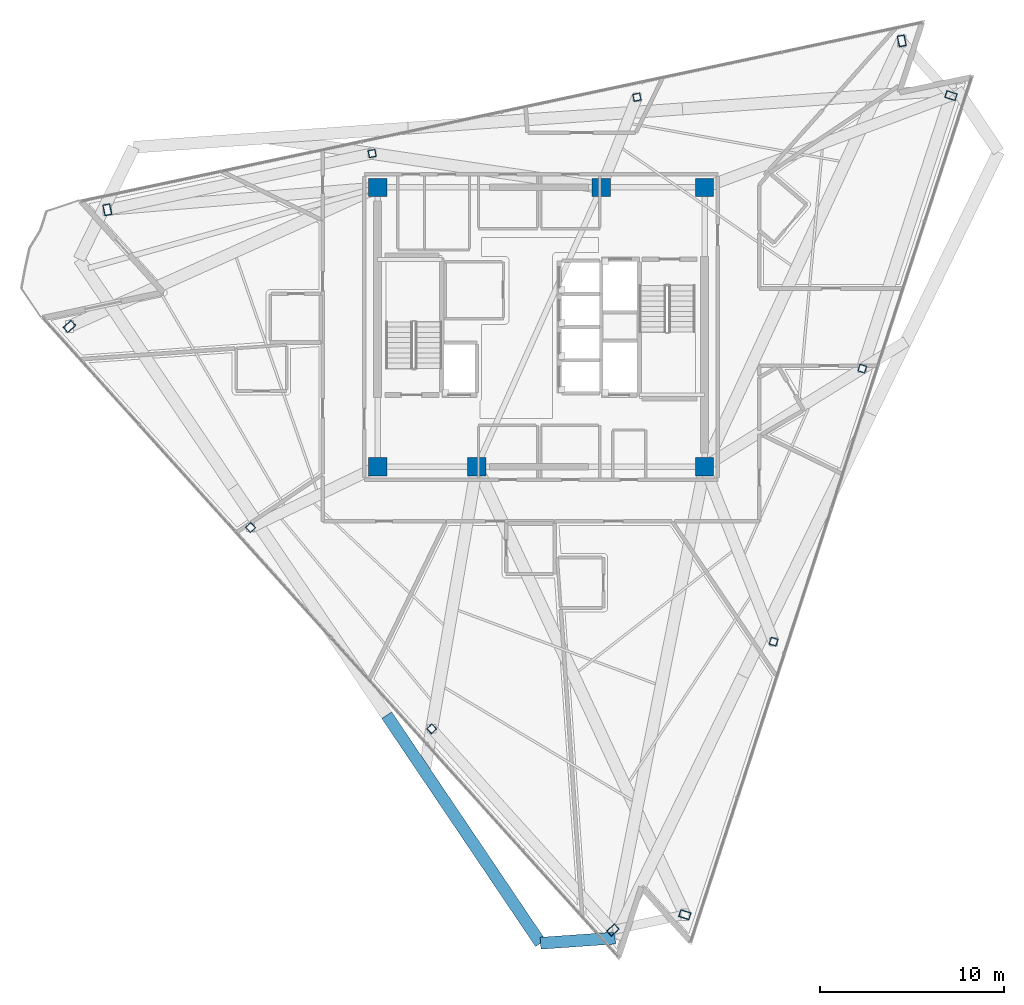
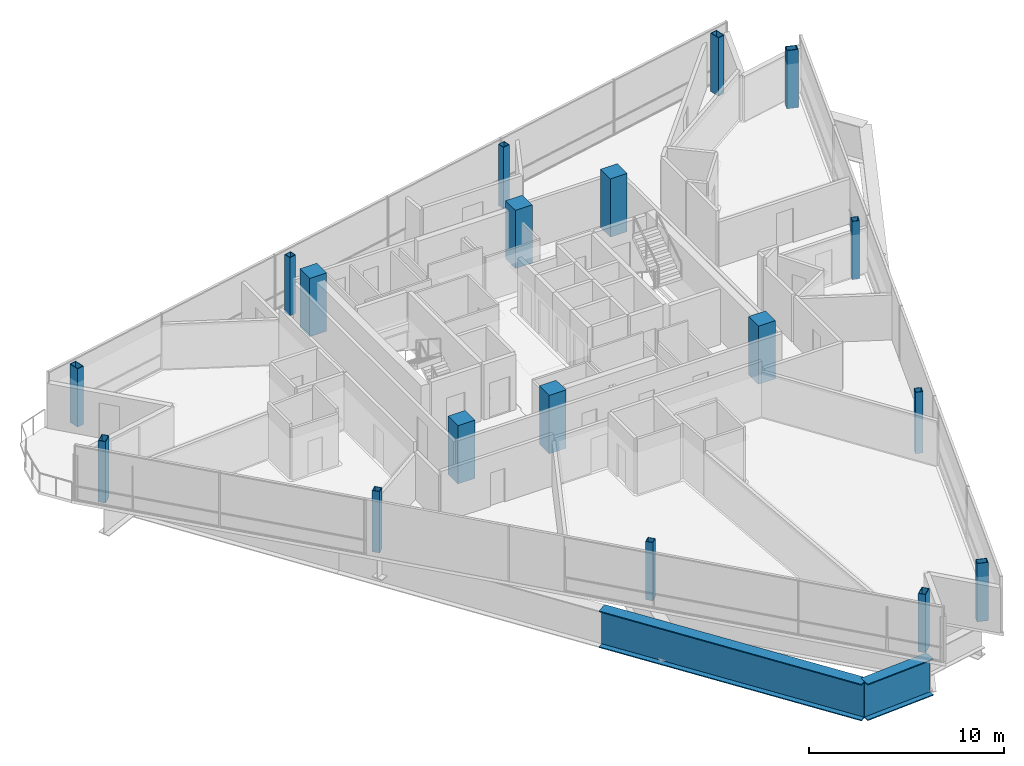
# One storey, part 1 of 18: 18 columns, 2 beams.
"""IFC4 building model written with IfcOpenShell, lengths in metres."""

import ifcopenshell
import ifcopenshell.guid

model = None  # the IFC model being written
_history = None  # IfcOwnerHistory: only IFC2X3 demands one
_inside = {}  # id of a spatial element -> (the spatial element, [elements in it])
_under = {}  # id of a project, library or spatial element -> (it, [spatial elements below it])
_declared = {}  # id of a project -> (the project, [libraries it declares])
_typed = {}  # id of a type object -> (the type object, [elements of that type])
_made_of = {}  # id of a material, layer set ... -> (it, [elements and type objects made of it])


def new_model(schema):
    """Start an empty IFC model of exactly this schema.

    Asked for "IFC4X3", IfcOpenShell would pick the latest addendum, in which some entities
    have other attributes; the version numbers below select the first issue.
    IFC2X3 requires an IfcOwnerHistory on every rooted entity: one is made here for all.
    """
    global model, _history
    if schema == "IFC4X3":
        model = ifcopenshell.file(schema_version=(4, 3, 0, 0))
    else:
        model = ifcopenshell.file(schema=schema)
    _inside.clear()
    _under.clear()
    _declared.clear()
    _typed.clear()
    _made_of.clear()
    _history = None
    if model.schema == "IFC2X3":
        org = make("IfcOrganization", Name="unknown")
        user = make(
            "IfcPersonAndOrganization",
            ThePerson=make("IfcPerson", FamilyName="unknown"),
            TheOrganization=org,
        )
        app = make(
            "IfcApplication",
            ApplicationDeveloper=org,
            Version="unknown",
            ApplicationFullName="unknown",
            ApplicationIdentifier="unknown",
        )
        _history = make(
            "IfcOwnerHistory",
            OwningUser=user,
            OwningApplication=app,
            ChangeAction="ADDED",
            CreationDate=0,
        )
    return model


def make(cls, **values):
    """One entity of the class cls with the attributes given. An attribute that is None is left unset."""
    return model.create_entity(
        cls, **{name: value for name, value in values.items() if value is not None}
    )


def rooted(cls, **values):
    """An entity with a GlobalId (a new one), such as an element, a storey or a relation."""
    return make(cls, GlobalId=ifcopenshell.guid.new(), OwnerHistory=_history, **values)


def si_unit(unit_type, name, prefix=None):
    """IfcSIUnit, for example si_unit("LENGTHUNIT", "METRE", prefix="MILLI")."""
    return make("IfcSIUnit", UnitType=unit_type, Prefix=prefix, Name=name)


def assignment(units):
    """IfcUnitAssignment: the units of a project."""
    return None if units is None else make("IfcUnitAssignment", Units=units)


def point(xyz):
    """IfcCartesianPoint."""
    return None if xyz is None else make("IfcCartesianPoint", Coordinates=xyz)


def direction(xyz):
    """IfcDirection."""
    return None if xyz is None else make("IfcDirection", DirectionRatios=xyz)


def frame(location, z_axis=None, x_axis=None):
    """IfcAxis2Placement3D, a coordinate frame: its origin and axes. An axis left out is left unset."""
    return make(
        "IfcAxis2Placement3D",
        Location=point(location),
        Axis=direction(z_axis),
        RefDirection=direction(x_axis),
    )


def frame_2d(location, x_axis=None):
    """IfcAxis2Placement2D, a coordinate frame in the plane: its origin and x axis."""
    return make(
        "IfcAxis2Placement2D", Location=point(location), RefDirection=direction(x_axis)
    )


def origin():
    """The frame at (0, 0, 0) with its axes left unset."""
    return frame((0.0, 0.0, 0.0))


def origin_2d():
    """The frame at (0, 0) in the plane with its x axis left unset."""
    return frame_2d((0.0, 0.0))


def place(relative_to, where):
    """IfcLocalPlacement: puts the frame where relative to a parent placement (None: the world)."""
    return make(
        "IfcLocalPlacement", PlacementRelTo=relative_to, RelativePlacement=where
    )


def context(
    kind, dimensions, precision=None, world=None, true_north=None, identifier=None
):
    """IfcGeometricRepresentationContext, for example the 3D "Model" context."""
    return make(
        "IfcGeometricRepresentationContext",
        ContextIdentifier=identifier,
        ContextType=kind,
        CoordinateSpaceDimension=dimensions,
        Precision=precision,
        WorldCoordinateSystem=world,
        TrueNorth=true_north,
    )


def subcontext(parent, identifier, kind, view, scale=None):
    """IfcGeometricRepresentationSubContext, for example "Body" below "Model"."""
    return make(
        "IfcGeometricRepresentationSubContext",
        ContextIdentifier=identifier,
        ContextType=kind,
        ParentContext=parent,
        TargetScale=scale,
        TargetView=view,
    )


def project(units=None, contexts=None):
    """IfcProject with its units and contexts."""
    return rooted(
        "IfcProject",
        Name="project",
        RepresentationContexts=contexts,
        UnitsInContext=assignment(units),
    )


def spatial(cls, under=None, at=None, **own):
    """A site, building, storey or space (cls), placed at a placement, below another one or the project."""
    s = rooted(cls, ObjectPlacement=at, **own)
    if under is not None:
        _under.setdefault(under.id(), (under, []))[1].append(s)
    return s


def profile(cls, at=None, kind="AREA", **sizes):
    """A parametric profile (cls). Its sizes go by their IFC names, for example OverallWidth=200.0."""
    return make(cls, ProfileType=kind, Position=at, **sizes)


def rectangle(**sizes):
    """IfcRectangleProfileDef."""
    return profile("IfcRectangleProfileDef", **sizes)


def hollow_rectangle(**sizes):
    """IfcRectangleHollowProfileDef."""
    return profile("IfcRectangleHollowProfileDef", **sizes)


def i_section(**sizes):
    """IfcIShapeProfileDef."""
    return profile("IfcIShapeProfileDef", **sizes)


def extrude(swept, where, along, depth):
    """IfcExtrudedAreaSolid: the profile swept, set in the frame where, extruded along a direction by depth."""
    return make(
        "IfcExtrudedAreaSolid",
        SweptArea=swept,
        Position=where,
        ExtrudedDirection=direction(along),
        Depth=depth,
    )


def shape(context_of_items, identifier, shape_type, items):
    """IfcShapeRepresentation: the items that make up one representation, for example the "Body"."""
    return make(
        "IfcShapeRepresentation",
        ContextOfItems=context_of_items,
        RepresentationIdentifier=identifier,
        RepresentationType=shape_type,
        Items=items,
    )


def material(Name=None, Category=None):
    """IfcMaterial."""
    return make("IfcMaterial", Name=Name, Category=Category)


def material_profile(
    of_material, cross_section, Name=None, Category=None, Priority=None
):
    """IfcMaterialProfile: a cross section and its material."""
    return make(
        "IfcMaterialProfile",
        Name=Name,
        Material=of_material,
        Profile=cross_section,
        Priority=Priority,
        Category=Category,
    )


def profile_set(profiles, Name=None, composite=None):
    """IfcMaterialProfileSet."""
    return make(
        "IfcMaterialProfileSet",
        Name=Name,
        MaterialProfiles=profiles,
        CompositeProfile=composite,
    )


def made_of(thing, what):
    """Note that an element or type object is made of a material, layer set ...; save() writes the relation."""
    if what is not None:
        _made_of.setdefault(what.id(), (what, []))[1].append(thing)
    return thing


def type_object(cls, material=None, **own):
    """A type object (cls), such as IfcWallType, which elements share."""
    return made_of(rooted(cls, **own), material)


def element(
    cls,
    number,
    at=None,
    inside=None,
    cuts=None,
    type_object=None,
    material=None,
    context=None,
    identifier="Body",
    shape_type=None,
    held_by="IfcProductDefinitionShape",
    body=None,
    shapes=None,
    **own,
):
    """One element of the class cls, such as IfcWall. Its Tag is "e" and its number.

    at: its placement. inside: the storey or other place that contains it. cuts: it is an
    opening in that element (IfcRelVoidsElement). A single representation is given by context,
    identifier, shape_type and body (its items); several are given by shapes. held_by: the class
    of the entity that holds the representations. save() writes the other relations.
    """
    e = rooted(cls, Tag="e%d" % number, ObjectPlacement=at, **own)
    if body is not None:
        shapes = [shape(context, identifier, shape_type, body)]
    if shapes is not None:
        e.Representation = make(held_by, Representations=shapes)
    if inside is not None:
        _inside.setdefault(inside.id(), (inside, []))[1].append(e)
    if cuts is not None:
        rooted(
            "IfcRelVoidsElement", RelatingBuildingElement=cuts, RelatedOpeningElement=e
        )
    if type_object is not None:
        _typed.setdefault(type_object.id(), (type_object, []))[1].append(e)
    return made_of(e, material)


def aggregate(whole, parts):
    """IfcRelAggregates: a whole, such as a stair, and the parts it consists of."""
    return rooted("IfcRelAggregates", RelatingObject=whole, RelatedObjects=parts)


def save(model, path):
    """Write the relations noted so far, then the file.

    IfcRelAggregates (storeys below a building ...), IfcRelContainedInSpatialStructure (elements
    in a storey), IfcRelDefinesByType, IfcRelAssociatesMaterial and IfcRelDeclares: one each for
    every whole, place, type object, material and project.
    """
    for whole, parts in _under.values():
        aggregate(whole, parts)
    for where, things in _inside.values():
        rooted(
            "IfcRelContainedInSpatialStructure",
            RelatedElements=things,
            RelatingStructure=where,
        )
    for kind, things in _typed.values():
        rooted("IfcRelDefinesByType", RelatedObjects=things, RelatingType=kind)
    for what, things in _made_of.values():
        rooted("IfcRelAssociatesMaterial", RelatedObjects=things, RelatingMaterial=what)
    for by, libraries in _declared.values():
        rooted("IfcRelDeclares", RelatingContext=by, RelatedDefinitions=libraries)
    model.write(path)


model = new_model("IFC4")

# Units and contexts
model_context = context("Model", 3, precision=1e-05, world=origin(), true_north=direction((0.0, 1.0)))
body_context = subcontext(model_context, "Body", "Model", "MODEL_VIEW")
ifc_project = project(units=[si_unit("LENGTHUNIT", "METRE"), si_unit("AREAUNIT", "SQUARE_METRE"), si_unit("VOLUMEUNIT", "CUBIC_METRE"), si_unit("PLANEANGLEUNIT", "RADIAN"), si_unit("MASSUNIT", "GRAM", prefix="KILO")], contexts=[model_context])

# Site, building, storey
site_placement = place(None, origin())
site = spatial("IfcSite", under=ifc_project, at=site_placement, CompositionType="ELEMENT")
building_placement = place(site_placement, origin())
building = spatial("IfcBuilding", under=site, at=building_placement, Name="Tharavind Bronze Gate", CompositionType="ELEMENT")
storey_placement = place(building_placement, frame((0.0, 0.0, 279.75)))
storey = spatial("IfcBuildingStorey", under=building, at=storey_placement, Name="L72", CompositionType="ELEMENT", Elevation=279.75)

# Columns
ifc_material_1 = material(Name="Steel S460", Category="steel")
ifc_material_profile_1 = material_profile(ifc_material_1, hollow_rectangle(XDim=0.39990234375, YDim=0.60009765625, WallThickness=0.030029296875, at=origin_2d()), Name="RHS600X400X30")
ifc_profile_set_1 = profile_set([ifc_material_profile_1], Name="Steel S460")
column_type_1 = type_object("IfcColumnType", Name="CORNER NOTCH COLUMN RHS600X400", PredefinedType="COLUMN", material=ifc_profile_set_1)
column_1_placement = place(storey_placement, frame((-25.6787109375, 0.03173828125, -0.18994140625), z_axis=(0.0, 0.0, 1.0), x_axis=(-0.669130606359, 0.743144825477, 0.0)))
element("IfcColumn", 1, at=column_1_placement, inside=storey, type_object=column_type_1, Name="L72 perimeter column S1C1", PredefinedType="COLUMN", context=body_context, shape_type="SweptSolid", body=[
    extrude(hollow_rectangle(XDim=0.39990234375, YDim=0.60009765625, WallThickness=0.030029296875, at=origin_2d()), origin(), (0.0, 0.0, 1.0), 3.83984375),
])
for number, where, z_axis, x_axis, name in (
    (2, (3.908935546875, -32.82861328125, 0.0), (0.0, 0.0, 1.0), (-0.669130606359, 0.743144825477, 0.0), "L72 perimeter column S1C4"),
    (3, (7.829345703125, -31.99560546875, 0.0), (0.0, 0.0, 1.0), (0.309018654281, 0.951055976957, 0.0), "L72 perimeter column S2C1"),
    (4, (22.319091796875, 12.599609375, 0.0), (0.0, 0.0, 1.0), (0.309018654281, 0.951055976957, 0.0), "L72 perimeter column S2C4"),
    (5, (19.63720703125, 15.578125, 0.0), (0.0, 0.0, 1.0), (0.978147237858, 0.207913398007, 0.0), "L72 perimeter column S3C1"),
    (6, (-23.614501953125, 6.384765625, 0.0), (0.0, 0.0, 1.0), (0.978147237858, 0.207913398007, 0.0), "L72 perimeter column S3C4"),
):
    element("IfcColumn", number, at=place(storey_placement, frame(where, z_axis=z_axis, x_axis=x_axis)), inside=storey, type_object=column_type_1, Name=name, PredefinedType="COLUMN", context=body_context, shape_type="SweptSolid", body=[
        extrude(hollow_rectangle(XDim=0.39990234375, YDim=0.60009765625, WallThickness=0.030029296875, at=origin_2d()), origin(), (0.0, 0.0, 1.0), 3.64990234375),
    ])
ifc_material_2 = material(Name="Concrete C50/60", Category="concrete")
ifc_material_profile_2 = material_profile(ifc_material_2, rectangle(XDim=1.0, YDim=1.0, at=origin_2d()), Name="RCCOL1000")
ifc_profile_set_2 = profile_set([ifc_material_profile_2], Name="Concrete C50/60")
column_type_2 = type_object("IfcColumnType", Name="MEGA CORE COLUMN 1000", PredefinedType="COLUMN", material=ifc_profile_set_2)
for number, where, z_axis, x_axis, name in (
    (7, (-8.89990234375, -7.60009765625, 0.0), (0.0, 0.0, 1.0), (1.0, 0.0, 0.0), "L72 core mega column MC1"),
    (8, (-3.5, -7.60009765625, 0.0), (0.0, 0.0, 1.0), (1.0, 0.0, 0.0), "L72 core mega column MC2"),
    (9, (8.89990234375, -7.60009765625, 0.0), (0.0, 0.0, 1.0), (1.0, 0.0, 0.0), "L72 core mega column MC3"),
    (10, (8.89990234375, 7.60009765625, 0.0), (0.0, 0.0, 1.0), (1.0, 0.0, 0.0), "L72 core mega column MC4"),
    (11, (3.280029296875, 7.60009765625, 0.0), (0.0, 0.0, 1.0), (1.0, 0.0, 0.0), "L72 core mega column MC5"),
    (12, (-8.89990234375, 7.60009765625, 0.0), (0.0, 0.0, 1.0), (1.0, 0.0, 0.0), "L72 core mega column MC6"),
):
    element("IfcColumn", number, at=place(storey_placement, frame(where, z_axis=z_axis, x_axis=x_axis)), inside=storey, type_object=column_type_2, Name=name, PredefinedType="COLUMN", context=body_context, shape_type="SweptSolid", body=[
        extrude(rectangle(XDim=1.0, YDim=1.0, at=origin_2d()), origin(), (0.0, 0.0, 1.0), 3.64990234375),
    ])
ifc_material_profile_3 = material_profile(ifc_material_1, hollow_rectangle(XDim=0.39990234375, YDim=0.39990234375, WallThickness=0.02490234375, at=origin_2d()), Name="SHS400X25")
ifc_profile_set_3 = profile_set([ifc_material_profile_3], Name="Steel S460")
column_type_3 = type_object("IfcColumnType", Name="PERIMETER BOX COLUMN SHS400", PredefinedType="COLUMN", material=ifc_profile_set_3)
column_2_placement = place(storey_placement, frame((-15.816162109375, -10.921875, -0.18994140625), z_axis=(0.0, 0.0, 1.0), x_axis=(-0.669130606359, 0.743144825477, 0.0)))
element("IfcColumn", 13, at=column_2_placement, inside=storey, type_object=column_type_3, Name="L72 perimeter column S1C2", PredefinedType="COLUMN", context=body_context, shape_type="SweptSolid", body=[
    extrude(hollow_rectangle(XDim=0.39990234375, YDim=0.39990234375, WallThickness=0.02490234375, at=origin_2d()), origin(), (0.0, 0.0, 1.0), 3.83984375),
])
column_3_placement = place(storey_placement, frame((-5.95361328125, -21.875244140625, 0.0), z_axis=(0.0, 0.0, 1.0), x_axis=(-0.669130606359, 0.743144825477, 0.0)))
element("IfcColumn", 14, at=column_3_placement, inside=storey, type_object=column_type_3, Name="L72 perimeter column S1C3", PredefinedType="COLUMN", context=body_context, shape_type="SweptSolid", body=[
    extrude(hollow_rectangle(XDim=0.39990234375, YDim=0.39990234375, WallThickness=0.02490234375, at=origin_2d()), origin(), (0.0, 0.0, 1.0), 3.64990234375),
])
column_4_placement = place(storey_placement, frame((12.6591796875, -17.130615234375, -0.18994140625), z_axis=(0.0, 0.0, 1.0), x_axis=(0.309018654281, 0.951055976957, 0.0)))
element("IfcColumn", 15, at=column_4_placement, inside=storey, type_object=column_type_3, Name="L72 perimeter column S2C2", PredefinedType="COLUMN", context=body_context, shape_type="SweptSolid", body=[
    extrude(hollow_rectangle(XDim=0.39990234375, YDim=0.39990234375, WallThickness=0.02490234375, at=origin_2d()), origin(), (0.0, 0.0, 1.0), 3.83984375),
])
column_5_placement = place(storey_placement, frame((17.4892578125, -2.265380859375, 0.0), z_axis=(0.0, 0.0, 1.0), x_axis=(0.309018654281, 0.951055976957, 0.0)))
element("IfcColumn", 16, at=column_5_placement, inside=storey, type_object=column_type_3, Name="L72 perimeter column S2C3", PredefinedType="COLUMN", context=body_context, shape_type="SweptSolid", body=[
    extrude(hollow_rectangle(XDim=0.39990234375, YDim=0.39990234375, WallThickness=0.02490234375, at=origin_2d()), origin(), (0.0, 0.0, 1.0), 3.64990234375),
])
column_6_placement = place(storey_placement, frame((5.219970703125, 12.513671875, -0.18994140625), z_axis=(0.0, 0.0, 1.0), x_axis=(0.978147237858, 0.207913398007, 0.0)))
element("IfcColumn", 17, at=column_6_placement, inside=storey, type_object=column_type_3, Name="L72 perimeter column S3C2", PredefinedType="COLUMN", context=body_context, shape_type="SweptSolid", body=[
    extrude(hollow_rectangle(XDim=0.39990234375, YDim=0.39990234375, WallThickness=0.02490234375, at=origin_2d()), origin(), (0.0, 0.0, 1.0), 3.83984375),
])
column_7_placement = place(storey_placement, frame((-9.197265625, 9.44921875, 0.0), z_axis=(0.0, 0.0, 1.0), x_axis=(0.978147237858, 0.207913398007, 0.0)))
element("IfcColumn", 18, at=column_7_placement, inside=storey, type_object=column_type_3, Name="L72 perimeter column S3C3", PredefinedType="COLUMN", context=body_context, shape_type="SweptSolid", body=[
    extrude(hollow_rectangle(XDim=0.39990234375, YDim=0.39990234375, WallThickness=0.02490234375, at=origin_2d()), origin(), (0.0, 0.0, 1.0), 3.64990234375),
])

# Beams
ifc_material_profile_4 = material_profile(ifc_material_1, i_section(OverallWidth=0.64990234375, OverallDepth=2.300048828125, WebThickness=0.035888671875, FlangeThickness=0.05810546875, at=origin_2d()), Name="PG2300X650")
ifc_profile_set_4 = profile_set([ifc_material_profile_4], Name="Steel S460")
beam_type = type_object("IfcBeamType", Name="TRANSFER GIRDER 2300X650", PredefinedType="USERDEFINED", material=ifc_profile_set_4)
beam_1_placement = place(storey_placement, frame((-8.40234375, -21.134521484375, -1.340087890625), z_axis=(0.559184408692, -0.829043302292, 0.0), x_axis=(0.829043302292, 0.559184408692, 0.0)))
element("IfcBeam", 19, at=beam_1_placement, inside=storey, type_object=beam_type, Name="L72 transfer girder 2300x650 BM-L72-LRG03", ObjectType="TRANSFER GIRDER", PredefinedType="USERDEFINED", context=body_context, shape_type="SweptSolid", body=[
    extrude(i_section(OverallWidth=0.64990234375, OverallDepth=2.300048828125, WebThickness=0.035888671875, FlangeThickness=0.05810546875, at=origin_2d()), origin(), (0.0, 0.0, 1.0), 14.974609375),
])
beam_2_placement = place(storey_placement, frame((-0.02880859375, -33.549072265625, -1.340087890625), z_axis=(0.997561224107, 0.069796877851, 0.0), x_axis=(-0.069796877851, 0.997561224107, 0.0)))
element("IfcBeam", 20, at=beam_2_placement, inside=storey, type_object=beam_type, Name="L72 transfer girder 2300x650 BM-L72-LRG04", ObjectType="TRANSFER GIRDER", PredefinedType="USERDEFINED", context=body_context, shape_type="SweptSolid", body=[
    extrude(i_section(OverallWidth=0.64990234375, OverallDepth=2.300048828125, WebThickness=0.035888671875, FlangeThickness=0.05810546875, at=origin_2d()), origin(), (0.0, 0.0, 1.0), 4.068115234375),
])

save(model, "model.ifc")
